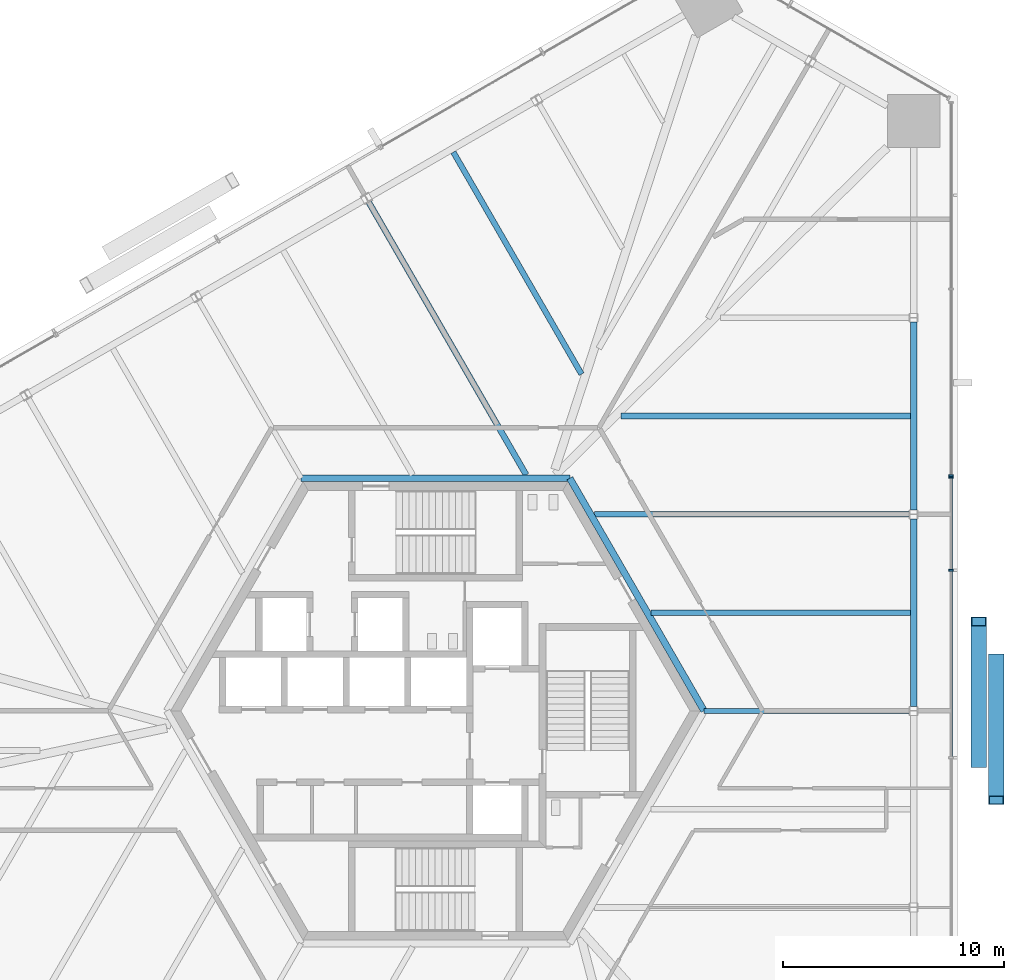
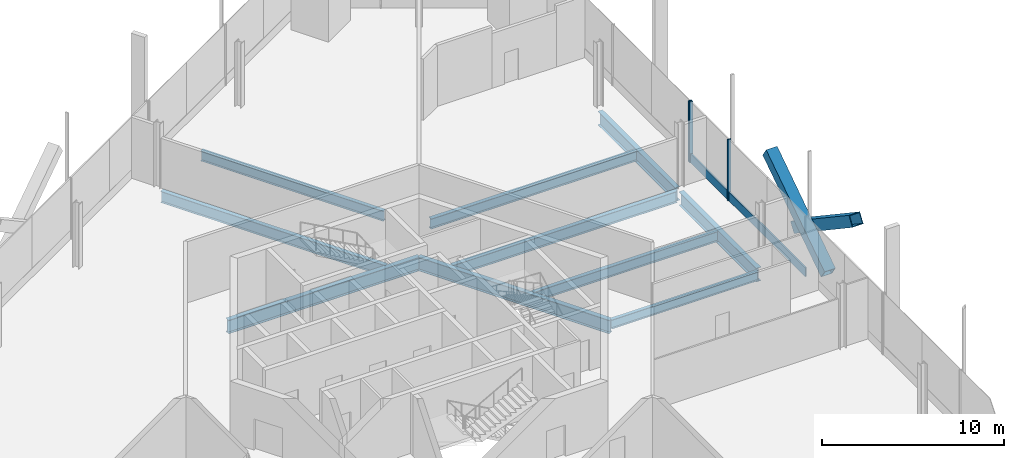
# One storey, part 6 of 18: 10 beams, 7 members, 2 elements without a shape of their own.
"""IFC4 building model written with IfcOpenShell, lengths in metres."""

from ifc_helpers import new_model, si_unit, direction, frame, origin, origin_2d, place, context, subcontext, project, spatial, rectangle, hollow_rectangle, i_section, extrude, source, transform, mapped, material, material_profile, profile_set, type_object, element, aggregate, save


model = new_model("IFC4")

# Units and contexts
model_context = context("Model", 3, precision=1e-05, world=origin(), true_north=direction((0.0, 1.0)))
body_context = subcontext(model_context, "Body", "Model", "MODEL_VIEW")
ifc_project = project(units=[si_unit("LENGTHUNIT", "METRE"), si_unit("AREAUNIT", "SQUARE_METRE"), si_unit("VOLUMEUNIT", "CUBIC_METRE"), si_unit("PLANEANGLEUNIT", "RADIAN"), si_unit("MASSUNIT", "GRAM", prefix="KILO")], contexts=[model_context])

# Site, building, storey
site_placement = place(None, origin())
site = spatial("IfcSite", under=ifc_project, at=site_placement, CompositionType="ELEMENT")
building_placement = place(site_placement, origin())
building = spatial("IfcBuilding", under=site, at=building_placement, Name="Triune Harvest Tower", CompositionType="ELEMENT")
storey_placement = place(building_placement, frame((0.0, 0.0, 33.199951171875)))
storey = spatial("IfcBuildingStorey", under=building, at=storey_placement, Name="L07", CompositionType="ELEMENT", Elevation=33.199951171875)

# Beams
ifc_material_1 = material(Name="Steel ASTM A992 Gr 50", Category="steel")
ifc_material_profile_1 = material_profile(ifc_material_1, i_section(OverallWidth=0.3046875, OverallDepth=0.914306640625, WebThickness=0.0166015625, FlangeThickness=0.02587890625, at=origin_2d()), Name="W36x160")
ifc_profile_set_1 = profile_set([ifc_material_profile_1], Name="Steel ASTM A992 Gr 50")
beam_type_1 = type_object("IfcBeamType", Name="CG-1 Core ring girder W36x160", PredefinedType="BEAM", material=ifc_profile_set_1)
shared_shape_1 = source(origin(), body_context, "Body", "SweptSolid", [
    extrude(i_section(OverallWidth=0.3046875, OverallDepth=0.914306640625, WebThickness=0.0166015625, FlangeThickness=0.02587890625, at=origin_2d()), origin(), (0.0, 0.0, 1.0), 12.176025390625),
])
beam_1_placement = place(storey_placement, frame((12.176025390625, 0.0, -0.6572265625), z_axis=(-0.5000099932, 0.866019634131, 0.0), x_axis=(-0.866019634131, -0.5000099932, 0.0)))
element("IfcBeam", 1, at=beam_1_placement, inside=storey, type_object=beam_type_1, Name="beam/L07/CG1", PredefinedType="BEAM", context=body_context, shape_type="MappedRepresentation", body=[
    mapped(shared_shape_1, transform((0.0, 0.0, 0.0), scale=1.0)),
])
shared_shape_2 = source(origin(), body_context, "Body", "SweptSolid", [
    extrude(i_section(OverallWidth=0.3046875, OverallDepth=0.914306640625, WebThickness=0.0166015625, FlangeThickness=0.02587890625, at=origin_2d()), origin(), (0.0, 0.0, 1.0), 12.17578125),
])
beam_2_placement = place(storey_placement, frame((6.087890625, 10.544677734375, -0.6572265625), z_axis=(-1.0, 0.0, 0.0), x_axis=(0.0, -1.0, 0.0)))
element("IfcBeam", 2, at=beam_2_placement, inside=storey, type_object=beam_type_1, Name="beam/L07/CG2", PredefinedType="BEAM", context=body_context, shape_type="MappedRepresentation", body=[
    mapped(shared_shape_2, transform((0.0, 0.0, 0.0), scale=1.0)),
])
ifc_material_2 = material(Name="Steel ASTM A992 Gr 50", Category="steel")
ifc_material_profile_2 = material_profile(ifc_material_2, i_section(OverallWidth=0.2666015625, OverallDepth=0.7568359375, WebThickness=0.013916015625, FlangeThickness=0.019287109375, at=origin_2d()), Name="W30x108")
ifc_profile_set_2 = profile_set([ifc_material_profile_2], Name="Steel ASTM A992 Gr 50")
beam_type_2 = type_object("IfcBeamType", Name="JT-5 Floor joist W30x108", PredefinedType="JOIST", material=ifc_profile_set_2)
shared_shape_3 = source(origin(), body_context, "Body", "SweptSolid", [
    extrude(i_section(OverallWidth=0.2666015625, OverallDepth=0.7568359375, WebThickness=0.013916015625, FlangeThickness=0.019287109375, at=origin_2d()), origin(), (0.0, 0.0, 1.0), 14.2685546875),
])
for number, where, z_axis, x_axis, name in (
    (3, (21.476318359375, 8.909912109375, -0.578369140625), (-1.0, 0.0, 0.0), (0.0, -1.0, 0.0), "beam/L07/JT8"),
    (4, (-3.02197265625, 23.053955078125, -0.578369140625), (0.499999916269, -0.866025452127, 0.0), (0.866025452127, 0.499999916269, 0.0), "beam/L07/JT17"),
):
    element("IfcBeam", number, at=place(storey_placement, frame(where, z_axis=z_axis, x_axis=x_axis)), inside=storey, type_object=beam_type_2, Name=name, PredefinedType="JOIST", context=body_context, shape_type="MappedRepresentation", body=[
        mapped(shared_shape_3, transform((0.0, 0.0, 0.0), scale=1.0)),
    ])
ifc_material_3 = material(Name="Steel ASTM A992 Gr 50", Category="steel")
ifc_material_profile_3 = material_profile(ifc_material_3, i_section(OverallWidth=0.22900390625, OverallDepth=0.612060546875, WebThickness=0.011962890625, FlangeThickness=0.01953125, at=origin_2d()), Name="W24x84")
ifc_profile_set_3 = profile_set([ifc_material_profile_3], Name="Steel ASTM A992 Gr 50")
beam_type_3 = type_object("IfcBeamType", Name="JT-3 Floor joist W24x84", PredefinedType="JOIST", material=ifc_profile_set_3)
shared_shape_4 = source(origin(), body_context, "Body", "SweptSolid", [
    extrude(i_section(OverallWidth=0.22900390625, OverallDepth=0.612060546875, WebThickness=0.011962890625, FlangeThickness=0.01953125, at=origin_2d()), origin(), (0.0, 0.0, 1.0), 9.30029296875),
])
beam_3_placement = place(storey_placement, frame((21.476318359375, 0.0, -0.506103515625), z_axis=(-1.0, 0.0, 0.0), x_axis=(0.0, -1.0, 0.0)))
element("IfcBeam", 5, at=beam_3_placement, inside=storey, type_object=beam_type_3, Name="beam/L07/JT6", PredefinedType="JOIST", context=body_context, shape_type="MappedRepresentation", body=[
    mapped(shared_shape_4, transform((0.0, 0.0, 0.0), scale=1.0)),
])
ifc_material_4 = material(Name="Steel ASTM A992 Gr 50", Category="steel")
ifc_material_profile_4 = material_profile(ifc_material_4, i_section(OverallWidth=0.3046875, OverallDepth=0.914306640625, WebThickness=0.0166015625, FlangeThickness=0.02587890625, at=origin_2d()), Name="W36x160")
ifc_profile_set_4 = profile_set([ifc_material_profile_4], Name="Steel ASTM A992 Gr 50")
beam_type_4 = type_object("IfcBeamType", Name="SB-1 Spandrel beam W36x160", PredefinedType="SPANDREL", material=ifc_profile_set_4)
shared_shape_5 = source(origin(), body_context, "Body", "SweptSolid", [
    extrude(i_section(OverallWidth=0.3046875, OverallDepth=0.914306640625, WebThickness=0.0166015625, FlangeThickness=0.02587890625, at=origin_2d()), origin(), (0.0, 0.0, 1.0), 8.50634765625),
])
beam_4_placement = place(storey_placement, frame((21.679443359375, 9.11181640625, -0.6572265625), z_axis=(0.0, 1.0, 0.0), x_axis=(-1.0, 0.0, 0.0)))
element("IfcBeam", 6, at=beam_4_placement, inside=storey, type_object=beam_type_4, Name="beam/L07/SB5", PredefinedType="SPANDREL", context=body_context, shape_type="MappedRepresentation", body=[
    mapped(shared_shape_5, transform((0.0, 0.0, 0.0), scale=1.0)),
])
shared_shape_6 = source(origin(), body_context, "Body", "SweptSolid", [
    extrude(i_section(OverallWidth=0.3046875, OverallDepth=0.914306640625, WebThickness=0.0166015625, FlangeThickness=0.02587890625, at=origin_2d()), origin(), (0.0, 0.0, 1.0), 8.506103515625),
])
beam_5_placement = place(storey_placement, frame((21.679443359375, 0.201904296875, -0.6572265625), z_axis=(0.0, 1.0, 0.0), x_axis=(-1.0, 0.0, 0.0)))
element("IfcBeam", 7, at=beam_5_placement, inside=storey, type_object=beam_type_4, Name="beam/L07/SB4", PredefinedType="SPANDREL", context=body_context, shape_type="MappedRepresentation", body=[
    mapped(shared_shape_6, transform((0.0, 0.0, 0.0), scale=1.0)),
])
ifc_material_5 = material(Name="Steel ASTM A992 Gr 50", Category="steel")
ifc_material_profile_5 = material_profile(ifc_material_5, i_section(OverallWidth=0.253662109375, OverallDepth=0.683349609375, WebThickness=0.012451171875, FlangeThickness=0.01904296875, at=origin_2d()), Name="W27x94")
ifc_profile_set_5 = profile_set([ifc_material_profile_5], Name="Steel ASTM A992 Gr 50")
beam_type_5 = type_object("IfcBeamType", Name="JT-4 Floor joist W27x94", PredefinedType="JOIST", material=ifc_profile_set_5)
shared_shape_7 = source(origin(), body_context, "Body", "SweptSolid", [
    extrude(i_section(OverallWidth=0.253662109375, OverallDepth=0.683349609375, WebThickness=0.012451171875, FlangeThickness=0.01904296875, at=origin_2d()), origin(), (0.0, 0.0, 1.0), 11.747314453125),
])
beam_6_placement = place(storey_placement, frame((21.527099609375, 4.455078125, -0.54150390625), z_axis=(-1.0, 0.0, 0.0), x_axis=(0.0, -1.0, 0.0)))
element("IfcBeam", 8, at=beam_6_placement, inside=storey, type_object=beam_type_5, Name="beam/L07/JT7", PredefinedType="JOIST", context=body_context, shape_type="MappedRepresentation", body=[
    mapped(shared_shape_7, transform((0.0, 0.0, 0.0), scale=1.0)),
])
shared_shape_8 = source(origin(), body_context, "Body", "SweptSolid", [
    extrude(i_section(OverallWidth=0.253662109375, OverallDepth=0.683349609375, WebThickness=0.012451171875, FlangeThickness=0.01904296875, at=origin_2d()), origin(), (0.0, 0.0, 1.0), 13.110107421875),
])
beam_7_placement = place(storey_placement, frame((21.527099609375, 13.364990234375, -0.54150390625), z_axis=(-1.0, 0.0, 0.0), x_axis=(0.0, -1.0, 0.0)))
element("IfcBeam", 9, at=beam_7_placement, inside=storey, type_object=beam_type_5, Name="beam/L07/JT9", PredefinedType="JOIST", context=body_context, shape_type="MappedRepresentation", body=[
    mapped(shared_shape_8, transform((0.0, 0.0, 0.0), scale=1.0)),
])
shared_shape_9 = source(origin(), body_context, "Body", "SweptSolid", [
    extrude(i_section(OverallWidth=0.253662109375, OverallDepth=0.683349609375, WebThickness=0.012451171875, FlangeThickness=0.01904296875, at=origin_2d()), origin(), (0.0, 0.0, 1.0), 11.618896484375),
])
beam_8_placement = place(storey_placement, frame((0.810791015625, 25.325439453125, -0.54150390625), z_axis=(0.500008015982, -0.866020775706, 0.0), x_axis=(0.866020775706, 0.500008015982, 0.0)))
element("IfcBeam", 10, at=beam_8_placement, inside=storey, type_object=beam_type_5, Name="beam/L07/JT16", PredefinedType="JOIST", context=body_context, shape_type="MappedRepresentation", body=[
    mapped(shared_shape_9, transform((0.0, 0.0, 0.0), scale=1.0)),
])

# Members
ifc_material_6 = material(Name="Steel ASTM A572 Gr 50", Category="steel")
ifc_material_profile_6 = material_profile(ifc_material_6, hollow_rectangle(XDim=0.699951171875, YDim=0.699951171875, WallThickness=0.0400390625, at=origin_2d()), Name="Box 700x700x40")
ifc_profile_set_6 = profile_set([ifc_material_profile_6], Name="Steel ASTM A572 Gr 50")
member_type_1 = type_object("IfcMemberType", Name="BR-1 Brace Box 700x700x40", PredefinedType="BRACE", material=ifc_profile_set_6)
shared_shape_10 = source(origin(), body_context, "Body", "SweptSolid", [
    extrude(hollow_rectangle(XDim=0.699951171875, YDim=0.699951171875, WallThickness=0.0400390625, at=origin_2d()), origin(), (0.0, 0.0, 1.0), 7.728515625),
])
for number, where, z_axis, x_axis, name in (
    (11, (24.621337890625, -2.371826171875, 0.0), (0.0, 0.830925953807, 0.556383014918), (-1.0, 0.0, 0.0), "brace/B1-F1/d1/5"),
    (12, (25.42138671875, 2.371826171875, 0.0), (0.0, -0.830925953807, 0.556383014918), (1.0, 0.0, 0.0), "brace/B1-F1/d2/5"),
):
    element("IfcMember", number, at=place(storey_placement, frame(where, z_axis=z_axis, x_axis=x_axis)), inside=storey, type_object=member_type_1, Name=name, PredefinedType="BRACE", context=body_context, shape_type="MappedRepresentation", body=[
        mapped(shared_shape_10, transform((0.0, 0.0, 0.0), scale=1.0)),
    ])

# Curtain wall, members
ifc_material_7 = material(Name="Aluminium bronze anodised", Category="aluminium")
curtain_wall_type_1 = type_object("IfcCurtainWallType", Name="CW-8 Farm floor curtain wall with insulated spandrel infill", PredefinedType="NOTDEFINED", material=ifc_material_7)
curtain_wall_1_placement = place(storey_placement, origin())
curtain_wall_1 = element("IfcCurtainWall", 13, at=curtain_wall_1_placement, inside=storey, type_object=curtain_wall_type_1, Name="CW-8 B1-F1 L07 run 1001")
ifc_material_8 = material(Name="Aluminium bronze anodised", Category="aluminium")
ifc_material_profile_7 = material_profile(ifc_material_8, rectangle(XDim=0.199951171875, YDim=0.080078125, at=origin_2d()), Name="MU-3 mullion 80 x 200")
ifc_profile_set_7 = profile_set([ifc_material_profile_7], Name="Aluminium bronze anodised")
member_type_2 = type_object("IfcMemberType", Name="MU-3 mullion 80 x 200", PredefinedType="MULLION", material=ifc_profile_set_7)
shared_shape_11 = source(origin(), body_context, "Body", "SweptSolid", [
    extrude(rectangle(XDim=0.199951171875, YDim=0.080078125, at=origin_2d()), origin(), (0.0, 0.0, 1.0), 4.10009765625),
])
member_1_placement = place(storey_placement, frame((23.371337890625, 6.373046875, 0.0), z_axis=(0.0, 0.0, 1.0), x_axis=(-1.0, 0.0, 0.0)))
member_1 = element("IfcMember", 14, at=member_1_placement, type_object=member_type_2, Name="CW-8 mullion B1-F1 1001.5", PredefinedType="MULLION", context=body_context, shape_type="MappedRepresentation", body=[
    mapped(shared_shape_11, transform((0.0, 0.0, 0.0), scale=1.0)),
])
member_2_placement = place(storey_placement, frame((23.371337890625, 10.581787109375, 0.0), z_axis=(0.0, 0.0, 1.0), x_axis=(-1.0, 0.0, 0.0)))
member_2 = element("IfcMember", 15, at=member_2_placement, type_object=member_type_2, Name="CW-8 mullion B1-F1 1001.6", PredefinedType="MULLION", context=body_context, shape_type="MappedRepresentation", body=[
    mapped(shared_shape_11, transform((0.0, 0.0, 0.0), scale=1.0)),
])

# Curtain wall, member
ifc_material_9 = material(Name="Aluminium bronze anodised", Category="aluminium")
curtain_wall_type_2 = type_object("IfcCurtainWallType", Name="CW-3 Farm floor curtain wall", PredefinedType="NOTDEFINED", material=ifc_material_9)
curtain_wall_2_placement = place(storey_placement, origin())
curtain_wall_2 = element("IfcCurtainWall", 16, at=curtain_wall_2_placement, inside=storey, type_object=curtain_wall_type_2, Name="CW-3 B1-F1 L07 run 2001")
member_3_placement = place(storey_placement, frame((23.371337890625, 10.661865234375, 0.0), z_axis=(0.0, 0.0, 1.0), x_axis=(-1.0, 0.0, 0.0)))
member_3 = element("IfcMember", 17, at=member_3_placement, type_object=member_type_2, Name="CW-3 mullion B1-F1 2001.1", PredefinedType="MULLION", context=body_context, shape_type="MappedRepresentation", body=[
    mapped(shared_shape_11, transform((0.0, 0.0, 0.0), scale=1.0)),
])
aggregate(curtain_wall_2, [member_3])

# Member
ifc_material_10 = material(Name="Aluminium bronze anodised", Category="aluminium")
ifc_material_profile_8 = material_profile(ifc_material_10, rectangle(XDim=0.090087890625, YDim=0.60009765625, at=origin_2d()), Name="TR-3 transom 90 x 600")
ifc_profile_set_8 = profile_set([ifc_material_profile_8], Name="Aluminium bronze anodised")
member_type_3 = type_object("IfcMemberType", Name="TR-3 transom 90 x 600", PredefinedType="USERDEFINED", material=ifc_profile_set_8)
shared_shape_12 = source(origin(), body_context, "Body", "SweptSolid", [
    extrude(rectangle(XDim=0.090087890625, YDim=0.60009765625, at=origin_2d()), origin(), (0.0, 0.0, 1.0), 8.41748046875),
])
member_4_placement = place(storey_placement, frame((23.371337890625, -2.08447265625, 0.300048828125), z_axis=(0.0, 1.0, 0.0), x_axis=(-1.0, 0.0, 0.0)))
member_4 = element("IfcMember", 18, at=member_4_placement, type_object=member_type_3, Name="CW-8 transom B1-F1 1001.2", ObjectType="TRANSOM", PredefinedType="USERDEFINED", context=body_context, shape_type="MappedRepresentation", body=[
    mapped(shared_shape_12, transform((0.0, 0.0, 0.0), scale=1.0)),
])

shared_shape_13 = source(origin(), body_context, "Body", "SweptSolid", [
    extrude(rectangle(XDim=0.090087890625, YDim=0.60009765625, at=origin_2d()), origin(), (0.0, 0.0, 1.0), 4.128662109375),
])
member_5_placement = place(storey_placement, frame((23.371337890625, 6.4130859375, 0.300048828125), z_axis=(0.0, 1.0, 0.0), x_axis=(-1.0, 0.0, 0.0)))
member_5 = element("IfcMember", 19, at=member_5_placement, type_object=member_type_3, Name="CW-8 transom B1-F1 1001.3", ObjectType="TRANSOM", PredefinedType="USERDEFINED", context=body_context, shape_type="MappedRepresentation", body=[
    mapped(shared_shape_13, transform((0.0, 0.0, 0.0), scale=1.0)),
])

aggregate(curtain_wall_1, [member_1, member_2, member_4, member_5])

save(model, "model.ifc")
